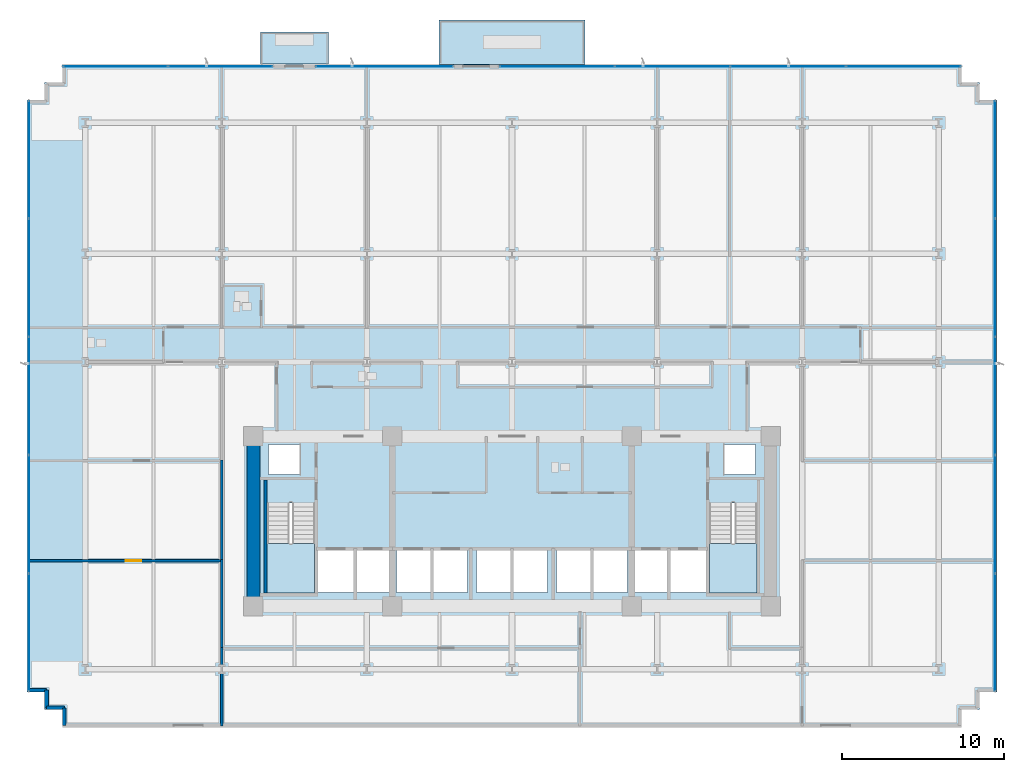
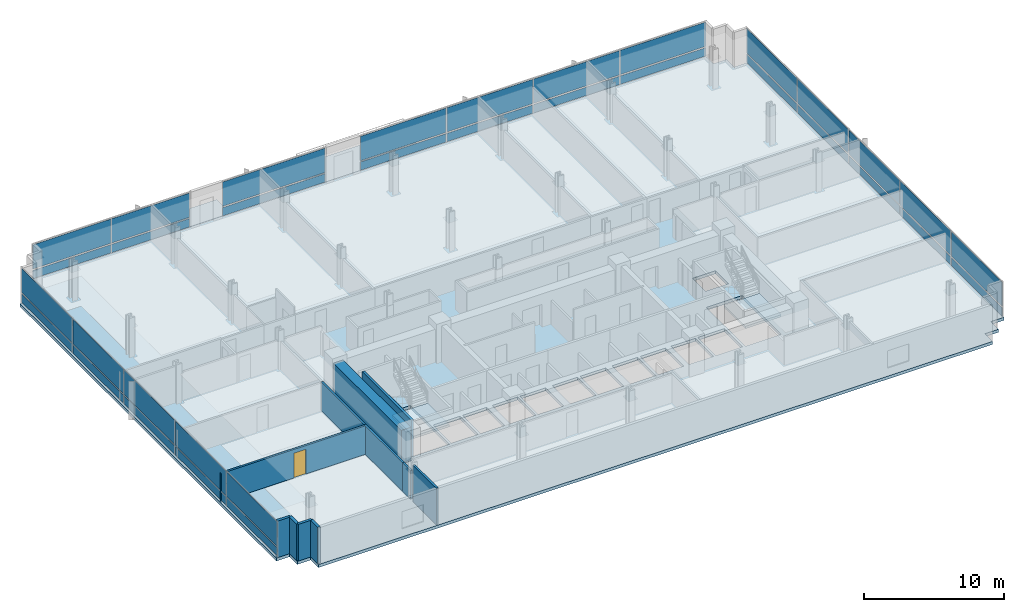
# One storey, part 12 of 21: 34 plates, 11 walls, 5 slabs, 1 door, 1 opening, 7 elements without a shape of their own.
"""IFC4 building model written with IfcOpenShell, lengths in metres."""

from ifc_helpers import new_model, si_unit, direction, frame, frame_2d, origin, origin_2d, place, context, subcontext, project, spatial, polyline, rectangle, outline, extrude, material, layer, layer_set, type_object, element, fill, aggregate, save


model = new_model("IFC4")

# Units and contexts
model_context = context("Model", 3, precision=1e-05, world=origin(), true_north=direction((0.0, 1.0)))
body_context = subcontext(model_context, "Body", "Model", "MODEL_VIEW")
ifc_project = project(units=[si_unit("LENGTHUNIT", "METRE"), si_unit("AREAUNIT", "SQUARE_METRE"), si_unit("VOLUMEUNIT", "CUBIC_METRE"), si_unit("PLANEANGLEUNIT", "RADIAN"), si_unit("MASSUNIT", "GRAM", prefix="KILO")], contexts=[model_context])

# Site, building, storey
site_placement = place(None, origin())
site = spatial("IfcSite", under=ifc_project, at=site_placement, CompositionType="ELEMENT")
building_placement = place(site_placement, origin())
building = spatial("IfcBuilding", under=site, at=building_placement, Name="Solmavex Isthmus Hotel", CompositionType="ELEMENT")
storey_placement = place(building_placement, frame((0.0, 0.0, 54.0)))
storey = spatial("IfcBuildingStorey", under=building, at=storey_placement, Name="L14", CompositionType="ELEMENT", Elevation=54.0)

# Curtain wall, plates
ifc_material_1 = material(Name="Aluminium alloy 6063-T6", Category="aluminium")
curtain_wall_type = type_object("IfcCurtainWallType", Name="CW-SYS-06", PredefinedType="NOTDEFINED", material=ifc_material_1)
curtain_wall_1_placement = place(storey_placement, origin())
curtain_wall_1 = element("IfcCurtainWall", 1, at=curtain_wall_1_placement, inside=storey, type_object=curtain_wall_type, Name="Stick Curtain Wall CWL-L14-N1", PredefinedType="NOTDEFINED")
ifc_material_2 = material(Name="Clear low-E laminated glass", Category="glass")
ifc_layer_1 = layer(ifc_material_2, 0.028076171875)
ifc_layer_set_1 = layer_set([ifc_layer_1], Name="Clear low-E laminated glass")
plate_type = type_object("IfcPlateType", Name="CW-SYS-06-PNL", PredefinedType="CURTAIN_PANEL", material=ifc_layer_set_1)
plate_1_placement = place(storey_placement, frame((-24.52587890625, 20.3798828125, 0.114990234375), z_axis=(0.0, 0.0, 1.0), x_axis=(1.0, 0.0, 0.0)))
plate_1 = element("IfcPlate", 2, at=plate_1_placement, type_object=plate_type, Name="CW-06 panel 1.1", PredefinedType="CURTAIN_PANEL", context=body_context, shape_type="SweptSolid", body=[
    extrude(rectangle(XDim=6.427978515625, YDim=0.028076171875, at=origin_2d()), origin(), (0.0, 0.0, 1.0), 0.7275390625),
])
plate_2_placement = place(storey_placement, frame((-24.52587890625, 20.3798828125, 0.95751953125), z_axis=(0.0, 0.0, 1.0), x_axis=(1.0, 0.0, 0.0)))
plate_2 = element("IfcPlate", 3, at=plate_2_placement, type_object=plate_type, Name="CW-06 panel 1.2", PredefinedType="CURTAIN_PANEL", context=body_context, shape_type="SweptSolid", body=[
    extrude(rectangle(XDim=6.427978515625, YDim=0.028076171875, at=origin_2d()), origin(), (0.0, 0.0, 1.0), 2.117431640625),
])
plate_3_placement = place(storey_placement, frame((-18.0380859375, 20.3798828125, 0.114990234375), z_axis=(0.0, 0.0, 1.0), x_axis=(1.0, 0.0, 0.0)))
plate_3 = element("IfcPlate", 4, at=plate_3_placement, type_object=plate_type, Name="CW-06 panel 2.1", PredefinedType="CURTAIN_PANEL", context=body_context, shape_type="SweptSolid", body=[
    extrude(rectangle(XDim=6.427978515625, YDim=0.028076171875, at=origin_2d()), origin(), (0.0, 0.0, 1.0), 0.7275390625),
])
plate_4_placement = place(storey_placement, frame((-18.0380859375, 20.3798828125, 0.95751953125), z_axis=(0.0, 0.0, 1.0), x_axis=(1.0, 0.0, 0.0)))
plate_4 = element("IfcPlate", 5, at=plate_4_placement, type_object=plate_type, Name="CW-06 panel 2.2", PredefinedType="CURTAIN_PANEL", context=body_context, shape_type="SweptSolid", body=[
    extrude(rectangle(XDim=6.427978515625, YDim=0.028076171875, at=origin_2d()), origin(), (0.0, 0.0, 1.0), 2.117431640625),
])
aggregate(curtain_wall_1, [plate_1, plate_2, plate_3, plate_4])

curtain_wall_2_placement = place(storey_placement, origin())
curtain_wall_2 = element("IfcCurtainWall", 6, at=curtain_wall_2_placement, inside=storey, type_object=curtain_wall_type, Name="Stick Curtain Wall CWL-L14-N2", PredefinedType="NOTDEFINED")
plate_5_placement = place(storey_placement, frame((-7.882080078125, 20.3798828125, 0.114990234375), z_axis=(0.0, 0.0, 1.0), x_axis=(1.0, 0.0, 0.0)))
plate_5 = element("IfcPlate", 7, at=plate_5_placement, type_object=plate_type, Name="CW-06 panel 1.1", PredefinedType="CURTAIN_PANEL", context=body_context, shape_type="SweptSolid", body=[
    extrude(rectangle(XDim=8.444091796875, YDim=0.028076171875, at=origin_2d()), origin(), (0.0, 0.0, 1.0), 0.7275390625),
])
plate_6_placement = place(storey_placement, frame((-7.882080078125, 20.3798828125, 0.95751953125), z_axis=(0.0, 0.0, 1.0), x_axis=(1.0, 0.0, 0.0)))
plate_6 = element("IfcPlate", 8, at=plate_6_placement, type_object=plate_type, Name="CW-06 panel 1.2", PredefinedType="CURTAIN_PANEL", context=body_context, shape_type="SweptSolid", body=[
    extrude(rectangle(XDim=8.444091796875, YDim=0.028076171875, at=origin_2d()), origin(), (0.0, 0.0, 1.0), 2.117431640625),
])
aggregate(curtain_wall_2, [plate_5, plate_6])

curtain_wall_3_placement = place(storey_placement, origin())
curtain_wall_3 = element("IfcCurtainWall", 9, at=curtain_wall_3_placement, inside=storey, type_object=curtain_wall_type, Name="Stick Curtain Wall CWL-L14-N3", PredefinedType="NOTDEFINED")
plate_7_placement = place(storey_placement, frame((2.7900390625, 20.3798828125, 0.114990234375), z_axis=(0.0, 0.0, 1.0), x_axis=(1.0, 0.0, 0.0)))
plate_7 = element("IfcPlate", 10, at=plate_7_placement, type_object=plate_type, Name="CW-06 panel 1.1", PredefinedType="CURTAIN_PANEL", context=body_context, shape_type="SweptSolid", body=[
    extrude(rectangle(XDim=7.06005859375, YDim=0.028076171875, at=origin_2d()), origin(), (0.0, 0.0, 1.0), 0.7275390625),
])
plate_8_placement = place(storey_placement, frame((2.7900390625, 20.3798828125, 0.95751953125), z_axis=(0.0, 0.0, 1.0), x_axis=(1.0, 0.0, 0.0)))
plate_8 = element("IfcPlate", 11, at=plate_8_placement, type_object=plate_type, Name="CW-06 panel 1.2", PredefinedType="CURTAIN_PANEL", context=body_context, shape_type="SweptSolid", body=[
    extrude(rectangle(XDim=7.06005859375, YDim=0.028076171875, at=origin_2d()), origin(), (0.0, 0.0, 1.0), 2.117431640625),
])
plate_9_placement = place(storey_placement, frame((9.925048828125, 20.3798828125, 0.114990234375), z_axis=(0.0, 0.0, 1.0), x_axis=(1.0, 0.0, 0.0)))
plate_9 = element("IfcPlate", 12, at=plate_9_placement, type_object=plate_type, Name="CW-06 panel 2.1", PredefinedType="CURTAIN_PANEL", context=body_context, shape_type="SweptSolid", body=[
    extrude(rectangle(XDim=7.090087890625, YDim=0.028076171875, at=origin_2d()), origin(), (0.0, 0.0, 1.0), 0.7275390625),
])
plate_10_placement = place(storey_placement, frame((9.925048828125, 20.3798828125, 0.95751953125), z_axis=(0.0, 0.0, 1.0), x_axis=(1.0, 0.0, 0.0)))
plate_10 = element("IfcPlate", 13, at=plate_10_placement, type_object=plate_type, Name="CW-06 panel 2.2", PredefinedType="CURTAIN_PANEL", context=body_context, shape_type="SweptSolid", body=[
    extrude(rectangle(XDim=7.090087890625, YDim=0.028076171875, at=origin_2d()), origin(), (0.0, 0.0, 1.0), 2.117431640625),
])
plate_11_placement = place(storey_placement, frame((17.074951171875, 20.3798828125, 0.114990234375), z_axis=(0.0, 0.0, 1.0), x_axis=(1.0, 0.0, 0.0)))
plate_11 = element("IfcPlate", 14, at=plate_11_placement, type_object=plate_type, Name="CW-06 panel 3.1", PredefinedType="CURTAIN_PANEL", context=body_context, shape_type="SweptSolid", body=[
    extrude(rectangle(XDim=7.090087890625, YDim=0.028076171875, at=origin_2d()), origin(), (0.0, 0.0, 1.0), 0.7275390625),
])
plate_12_placement = place(storey_placement, frame((17.074951171875, 20.3798828125, 0.95751953125), z_axis=(0.0, 0.0, 1.0), x_axis=(1.0, 0.0, 0.0)))
plate_12 = element("IfcPlate", 15, at=plate_12_placement, type_object=plate_type, Name="CW-06 panel 3.2", PredefinedType="CURTAIN_PANEL", context=body_context, shape_type="SweptSolid", body=[
    extrude(rectangle(XDim=7.090087890625, YDim=0.028076171875, at=origin_2d()), origin(), (0.0, 0.0, 1.0), 2.117431640625),
])
plate_13_placement = place(storey_placement, frame((24.2099609375, 20.3798828125, 0.114990234375), z_axis=(0.0, 0.0, 1.0), x_axis=(1.0, 0.0, 0.0)))
plate_13 = element("IfcPlate", 16, at=plate_13_placement, type_object=plate_type, Name="CW-06 panel 4.1", PredefinedType="CURTAIN_PANEL", context=body_context, shape_type="SweptSolid", body=[
    extrude(rectangle(XDim=7.06005859375, YDim=0.028076171875, at=origin_2d()), origin(), (0.0, 0.0, 1.0), 0.7275390625),
])
plate_14_placement = place(storey_placement, frame((24.2099609375, 20.3798828125, 0.95751953125), z_axis=(0.0, 0.0, 1.0), x_axis=(1.0, 0.0, 0.0)))
plate_14 = element("IfcPlate", 17, at=plate_14_placement, type_object=plate_type, Name="CW-06 panel 4.2", PredefinedType="CURTAIN_PANEL", context=body_context, shape_type="SweptSolid", body=[
    extrude(rectangle(XDim=7.06005859375, YDim=0.028076171875, at=origin_2d()), origin(), (0.0, 0.0, 1.0), 2.117431640625),
])
aggregate(curtain_wall_3, [plate_7, plate_8, plate_9, plate_10, plate_11, plate_12, plate_13, plate_14])

curtain_wall_4_placement = place(storey_placement, origin())
curtain_wall_4 = element("IfcCurtainWall", 18, at=curtain_wall_4_placement, inside=storey, type_object=curtain_wall_type, Name="Stick Curtain Wall CWL-L14-W1", PredefinedType="NOTDEFINED")
plate_15_placement = place(storey_placement, frame((-29.8798828125, -14.625, 0.114990234375), z_axis=(0.0, 0.0, 1.0), x_axis=(0.0, 1.0, 0.0)))
plate_15 = element("IfcPlate", 19, at=plate_15_placement, type_object=plate_type, Name="CW-06 panel 1.1", PredefinedType="CURTAIN_PANEL", context=body_context, shape_type="SweptSolid", body=[
    extrude(rectangle(XDim=7.22998046875, YDim=0.028076171875, at=origin_2d()), origin(), (0.0, 0.0, 1.0), 0.7275390625),
])
plate_16_placement = place(storey_placement, frame((-29.8798828125, -14.625, 0.95751953125), z_axis=(0.0, 0.0, 1.0), x_axis=(0.0, 1.0, 0.0)))
plate_16 = element("IfcPlate", 20, at=plate_16_placement, type_object=plate_type, Name="CW-06 panel 1.2", PredefinedType="CURTAIN_PANEL", context=body_context, shape_type="SweptSolid", body=[
    extrude(rectangle(XDim=7.22998046875, YDim=0.028076171875, at=origin_2d()), origin(), (0.0, 0.0, 1.0), 2.117431640625),
])
plate_17_placement = place(storey_placement, frame((-29.8798828125, -7.320068359375, 0.114990234375), z_axis=(0.0, 0.0, 1.0), x_axis=(0.0, 1.0, 0.0)))
plate_17 = element("IfcPlate", 21, at=plate_17_placement, type_object=plate_type, Name="CW-06 panel 2.1", PredefinedType="CURTAIN_PANEL", context=body_context, shape_type="SweptSolid", body=[
    extrude(rectangle(XDim=7.260009765625, YDim=0.028076171875, at=origin_2d()), origin(), (0.0, 0.0, 1.0), 0.7275390625),
])
plate_18_placement = place(storey_placement, frame((-29.8798828125, -7.320068359375, 0.95751953125), z_axis=(0.0, 0.0, 1.0), x_axis=(0.0, 1.0, 0.0)))
plate_18 = element("IfcPlate", 22, at=plate_18_placement, type_object=plate_type, Name="CW-06 panel 2.2", PredefinedType="CURTAIN_PANEL", context=body_context, shape_type="SweptSolid", body=[
    extrude(rectangle(XDim=7.260009765625, YDim=0.028076171875, at=origin_2d()), origin(), (0.0, 0.0, 1.0), 2.117431640625),
])
plate_19_placement = place(storey_placement, frame((-29.8798828125, 0.0, 0.114990234375), z_axis=(0.0, 0.0, 1.0), x_axis=(0.0, 1.0, 0.0)))
plate_19 = element("IfcPlate", 23, at=plate_19_placement, type_object=plate_type, Name="CW-06 panel 3.1", PredefinedType="CURTAIN_PANEL", context=body_context, shape_type="SweptSolid", body=[
    extrude(rectangle(XDim=7.260009765625, YDim=0.028076171875, at=origin_2d()), origin(), (0.0, 0.0, 1.0), 0.7275390625),
])
plate_20_placement = place(storey_placement, frame((-29.8798828125, 0.0, 0.95751953125), z_axis=(0.0, 0.0, 1.0), x_axis=(0.0, 1.0, 0.0)))
plate_20 = element("IfcPlate", 24, at=plate_20_placement, type_object=plate_type, Name="CW-06 panel 3.2", PredefinedType="CURTAIN_PANEL", context=body_context, shape_type="SweptSolid", body=[
    extrude(rectangle(XDim=7.260009765625, YDim=0.028076171875, at=origin_2d()), origin(), (0.0, 0.0, 1.0), 2.117431640625),
])
plate_21_placement = place(storey_placement, frame((-29.8798828125, 7.320068359375, 0.114990234375), z_axis=(0.0, 0.0, 1.0), x_axis=(0.0, 1.0, 0.0)))
plate_21 = element("IfcPlate", 25, at=plate_21_placement, type_object=plate_type, Name="CW-06 panel 4.1", PredefinedType="CURTAIN_PANEL", context=body_context, shape_type="SweptSolid", body=[
    extrude(rectangle(XDim=7.260009765625, YDim=0.028076171875, at=origin_2d()), origin(), (0.0, 0.0, 1.0), 0.7275390625),
])
plate_22_placement = place(storey_placement, frame((-29.8798828125, 7.320068359375, 0.95751953125), z_axis=(0.0, 0.0, 1.0), x_axis=(0.0, 1.0, 0.0)))
plate_22 = element("IfcPlate", 26, at=plate_22_placement, type_object=plate_type, Name="CW-06 panel 4.2", PredefinedType="CURTAIN_PANEL", context=body_context, shape_type="SweptSolid", body=[
    extrude(rectangle(XDim=7.260009765625, YDim=0.028076171875, at=origin_2d()), origin(), (0.0, 0.0, 1.0), 2.117431640625),
])
plate_23_placement = place(storey_placement, frame((-29.8798828125, 14.625, 0.114990234375), z_axis=(0.0, 0.0, 1.0), x_axis=(0.0, 1.0, 0.0)))
plate_23 = element("IfcPlate", 27, at=plate_23_placement, type_object=plate_type, Name="CW-06 panel 5.1", PredefinedType="CURTAIN_PANEL", context=body_context, shape_type="SweptSolid", body=[
    extrude(rectangle(XDim=7.22998046875, YDim=0.028076171875, at=origin_2d()), origin(), (0.0, 0.0, 1.0), 0.7275390625),
])
plate_24_placement = place(storey_placement, frame((-29.8798828125, 14.625, 0.95751953125), z_axis=(0.0, 0.0, 1.0), x_axis=(0.0, 1.0, 0.0)))
plate_24 = element("IfcPlate", 28, at=plate_24_placement, type_object=plate_type, Name="CW-06 panel 5.2", PredefinedType="CURTAIN_PANEL", context=body_context, shape_type="SweptSolid", body=[
    extrude(rectangle(XDim=7.22998046875, YDim=0.028076171875, at=origin_2d()), origin(), (0.0, 0.0, 1.0), 2.117431640625),
])
aggregate(curtain_wall_4, [plate_15, plate_16, plate_17, plate_18, plate_19, plate_20, plate_21, plate_22, plate_23, plate_24])

curtain_wall_5_placement = place(storey_placement, origin())
curtain_wall_5 = element("IfcCurtainWall", 29, at=curtain_wall_5_placement, inside=storey, type_object=curtain_wall_type, Name="Stick Curtain Wall CWL-L14-E1", PredefinedType="NOTDEFINED")
plate_25_placement = place(storey_placement, frame((29.8798828125, -14.625, 0.114990234375), z_axis=(0.0, 0.0, 1.0), x_axis=(0.0, 1.0, 0.0)))
plate_25 = element("IfcPlate", 30, at=plate_25_placement, type_object=plate_type, Name="CW-06 panel 1.1", PredefinedType="CURTAIN_PANEL", context=body_context, shape_type="SweptSolid", body=[
    extrude(rectangle(XDim=7.22998046875, YDim=0.028076171875, at=origin_2d()), origin(), (0.0, 0.0, 1.0), 0.7275390625),
])
plate_26_placement = place(storey_placement, frame((29.8798828125, -14.625, 0.95751953125), z_axis=(0.0, 0.0, 1.0), x_axis=(0.0, 1.0, 0.0)))
plate_26 = element("IfcPlate", 31, at=plate_26_placement, type_object=plate_type, Name="CW-06 panel 1.2", PredefinedType="CURTAIN_PANEL", context=body_context, shape_type="SweptSolid", body=[
    extrude(rectangle(XDim=7.22998046875, YDim=0.028076171875, at=origin_2d()), origin(), (0.0, 0.0, 1.0), 2.117431640625),
])
plate_27_placement = place(storey_placement, frame((29.8798828125, -7.320068359375, 0.114990234375), z_axis=(0.0, 0.0, 1.0), x_axis=(0.0, 1.0, 0.0)))
plate_27 = element("IfcPlate", 32, at=plate_27_placement, type_object=plate_type, Name="CW-06 panel 2.1", PredefinedType="CURTAIN_PANEL", context=body_context, shape_type="SweptSolid", body=[
    extrude(rectangle(XDim=7.260009765625, YDim=0.028076171875, at=origin_2d()), origin(), (0.0, 0.0, 1.0), 0.7275390625),
])
plate_28_placement = place(storey_placement, frame((29.8798828125, -7.320068359375, 0.95751953125), z_axis=(0.0, 0.0, 1.0), x_axis=(0.0, 1.0, 0.0)))
plate_28 = element("IfcPlate", 33, at=plate_28_placement, type_object=plate_type, Name="CW-06 panel 2.2", PredefinedType="CURTAIN_PANEL", context=body_context, shape_type="SweptSolid", body=[
    extrude(rectangle(XDim=7.260009765625, YDim=0.028076171875, at=origin_2d()), origin(), (0.0, 0.0, 1.0), 2.117431640625),
])
plate_29_placement = place(storey_placement, frame((29.8798828125, 0.0, 0.114990234375), z_axis=(0.0, 0.0, 1.0), x_axis=(0.0, 1.0, 0.0)))
plate_29 = element("IfcPlate", 34, at=plate_29_placement, type_object=plate_type, Name="CW-06 panel 3.1", PredefinedType="CURTAIN_PANEL", context=body_context, shape_type="SweptSolid", body=[
    extrude(rectangle(XDim=7.260009765625, YDim=0.028076171875, at=origin_2d()), origin(), (0.0, 0.0, 1.0), 0.7275390625),
])
plate_30_placement = place(storey_placement, frame((29.8798828125, 0.0, 0.95751953125), z_axis=(0.0, 0.0, 1.0), x_axis=(0.0, 1.0, 0.0)))
plate_30 = element("IfcPlate", 35, at=plate_30_placement, type_object=plate_type, Name="CW-06 panel 3.2", PredefinedType="CURTAIN_PANEL", context=body_context, shape_type="SweptSolid", body=[
    extrude(rectangle(XDim=7.260009765625, YDim=0.028076171875, at=origin_2d()), origin(), (0.0, 0.0, 1.0), 2.117431640625),
])
plate_31_placement = place(storey_placement, frame((29.8798828125, 7.320068359375, 0.114990234375), z_axis=(0.0, 0.0, 1.0), x_axis=(0.0, 1.0, 0.0)))
plate_31 = element("IfcPlate", 36, at=plate_31_placement, type_object=plate_type, Name="CW-06 panel 4.1", PredefinedType="CURTAIN_PANEL", context=body_context, shape_type="SweptSolid", body=[
    extrude(rectangle(XDim=7.260009765625, YDim=0.028076171875, at=origin_2d()), origin(), (0.0, 0.0, 1.0), 0.7275390625),
])
plate_32_placement = place(storey_placement, frame((29.8798828125, 7.320068359375, 0.95751953125), z_axis=(0.0, 0.0, 1.0), x_axis=(0.0, 1.0, 0.0)))
plate_32 = element("IfcPlate", 37, at=plate_32_placement, type_object=plate_type, Name="CW-06 panel 4.2", PredefinedType="CURTAIN_PANEL", context=body_context, shape_type="SweptSolid", body=[
    extrude(rectangle(XDim=7.260009765625, YDim=0.028076171875, at=origin_2d()), origin(), (0.0, 0.0, 1.0), 2.117431640625),
])
plate_33_placement = place(storey_placement, frame((29.8798828125, 14.625, 0.114990234375), z_axis=(0.0, 0.0, 1.0), x_axis=(0.0, 1.0, 0.0)))
plate_33 = element("IfcPlate", 38, at=plate_33_placement, type_object=plate_type, Name="CW-06 panel 5.1", PredefinedType="CURTAIN_PANEL", context=body_context, shape_type="SweptSolid", body=[
    extrude(rectangle(XDim=7.22998046875, YDim=0.028076171875, at=origin_2d()), origin(), (0.0, 0.0, 1.0), 0.7275390625),
])
plate_34_placement = place(storey_placement, frame((29.8798828125, 14.625, 0.95751953125), z_axis=(0.0, 0.0, 1.0), x_axis=(0.0, 1.0, 0.0)))
plate_34 = element("IfcPlate", 39, at=plate_34_placement, type_object=plate_type, Name="CW-06 panel 5.2", PredefinedType="CURTAIN_PANEL", context=body_context, shape_type="SweptSolid", body=[
    extrude(rectangle(XDim=7.22998046875, YDim=0.028076171875, at=origin_2d()), origin(), (0.0, 0.0, 1.0), 2.117431640625),
])
aggregate(curtain_wall_5, [plate_25, plate_26, plate_27, plate_28, plate_29, plate_30, plate_31, plate_32, plate_33, plate_34])

# Slabs
ifc_material_3 = material(Name="Concrete C40/50", Category="concrete")
ifc_layer_2 = layer(ifc_material_3, 0.239990234375)
ifc_layer_set_2 = layer_set([ifc_layer_2], Name="Concrete C40/50")
slab_type_1 = type_object("IfcSlabType", Name="SLAB-BALC-240", PredefinedType="FLOOR", material=ifc_layer_set_2)
slab_1_placement = place(storey_placement, frame((0.0, 0.0, -0.239990234375)))
element("IfcSlab", 40, at=slab_1_placement, inside=storey, type_object=slab_type_1, Name="Tree-Planter Balcony Slab L14-B1", PredefinedType="FLOOR", context=body_context, shape_type="SweptSolid", body=[
    extrude(outline(polyline([(-15.56396484375, 20.514892578125), (-11.364013671875, 20.514892578125), (-11.364013671875, 22.5), (-15.56396484375, 22.5), (-15.56396484375, 20.514892578125)])), origin(), (0.0, 0.0, 1.0), 0.239990234375),
])
ifc_layer_3 = layer(ifc_material_3, 0.260009765625)
ifc_layer_set_3 = layer_set([ifc_layer_3], Name="Concrete C40/50")
slab_type_2 = type_object("IfcSlabType", Name="SLAB-SG-260", PredefinedType="FLOOR", material=ifc_layer_set_3)
slab_2_placement = place(storey_placement, frame((0.0, 0.0, -0.260009765625)))
element("IfcSlab", 41, at=slab_2_placement, inside=storey, type_object=slab_type_2, Name="Sky Garden Terrace Slab SG1 L14", PredefinedType="FLOOR", context=body_context, shape_type="SweptSolid", body=[
    extrude(outline(polyline([(-4.5, 20.5009765625), (4.5, 20.5009765625), (4.5, 23.25), (-4.5, 23.25), (-4.5, 20.5009765625)])), origin(), (0.0, 0.0, 1.0), 0.260009765625),
])
ifc_layer_4 = layer(ifc_material_3, 0.260009765625)
ifc_layer_set_4 = layer_set([ifc_layer_4], Name="Concrete C40/50")
slab_type_3 = type_object("IfcSlabType", Name="SLAB-TYP-260", PredefinedType="FLOOR", material=ifc_layer_set_4)
slab_3_placement = place(storey_placement, frame((0.0, 0.0, -0.260009765625)))
element("IfcSlab", 42, at=slab_3_placement, inside=storey, type_object=slab_type_3, Name="Tower Structural Floor Slab L14", PredefinedType="FLOOR", context=body_context, shape_type="SweptSolid", body=[
    extrude(outline(polyline([(-26.699951171875, -20.5), (26.699951171875, -20.5), (27.800048828125, -20.5), (27.800048828125, -19.39990234375), (28.89990234375, -19.39990234375), (28.89990234375, -18.300048828125), (30.0, -18.300048828125), (30.0, -17.199951171875), (30.0, 17.199951171875), (30.0, 18.300048828125), (28.89990234375, 18.300048828125), (28.89990234375, 19.39990234375), (27.800048828125, 19.39990234375), (27.800048828125, 20.5), (26.699951171875, 20.5), (-26.699951171875, 20.5), (-27.800048828125, 20.5), (-27.800048828125, 19.39990234375), (-28.89990234375, 19.39990234375), (-28.89990234375, 18.300048828125), (-30.0, 18.300048828125), (-30.0, 17.199951171875), (-30.0, -17.199951171875), (-30.0, -18.300048828125), (-28.89990234375, -18.300048828125), (-28.89990234375, -19.39990234375), (-27.800048828125, -19.39990234375), (-27.800048828125, -20.5), (-26.699951171875, -20.5)]), holes=[polyline([(-15.14990234375, -6.617919921875), (-15.14990234375, -12.199951171875), (-12.199951171875, -12.199951171875), (-12.199951171875, -6.617919921875), (-15.14990234375, -6.617919921875)]), polyline([(12.199951171875, -6.617919921875), (12.199951171875, -12.199951171875), (15.14990234375, -12.199951171875), (15.14990234375, -6.617919921875), (12.199951171875, -6.617919921875)]), polyline([(-12.0, -12.14990234375), (-9.800048828125, -12.14990234375), (-9.800048828125, -9.550048828125), (-12.0, -9.550048828125), (-12.0, -12.14990234375)]), polyline([(9.800048828125, -12.14990234375), (12.0, -12.14990234375), (12.0, -9.550048828125), (9.800048828125, -9.550048828125), (9.800048828125, -12.14990234375)]), polyline([(-9.60009765625, -12.14990234375), (-7.60009765625, -12.14990234375), (-7.60009765625, -9.550048828125), (-9.60009765625, -9.550048828125), (-9.60009765625, -12.14990234375)]), polyline([(7.60009765625, -12.14990234375), (9.60009765625, -12.14990234375), (9.60009765625, -9.550048828125), (7.60009765625, -9.550048828125), (7.60009765625, -12.14990234375)]), polyline([(-7.14990234375, -12.14990234375), (-5.050048828125, -12.14990234375), (-5.050048828125, -9.550048828125), (-7.14990234375, -9.550048828125), (-7.14990234375, -12.14990234375)]), polyline([(-4.85009765625, -12.14990234375), (-2.75, -12.14990234375), (-2.75, -9.550048828125), (-4.85009765625, -9.550048828125), (-4.85009765625, -12.14990234375)]), polyline([(-2.199951171875, -12.14990234375), (-0.10009765625, -12.14990234375), (-0.10009765625, -9.550048828125), (-2.199951171875, -9.550048828125), (-2.199951171875, -12.14990234375)]), polyline([(0.10009765625, -12.14990234375), (2.199951171875, -12.14990234375), (2.199951171875, -9.550048828125), (0.10009765625, -9.550048828125), (0.10009765625, -12.14990234375)]), polyline([(2.75, -12.14990234375), (4.85009765625, -12.14990234375), (4.85009765625, -9.550048828125), (2.75, -9.550048828125), (2.75, -12.14990234375)]), polyline([(5.050048828125, -12.14990234375), (7.14990234375, -12.14990234375), (7.14990234375, -9.550048828125), (5.050048828125, -9.550048828125), (5.050048828125, -12.14990234375)]), polyline([(-15.050048828125, -4.85009765625), (-13.14990234375, -4.85009765625), (-13.14990234375, -3.0), (-15.050048828125, -3.0), (-15.050048828125, -4.85009765625)]), polyline([(13.14990234375, -4.85009765625), (15.050048828125, -4.85009765625), (15.050048828125, -3.0), (13.14990234375, -3.0), (13.14990234375, -4.85009765625)])]), origin(), (0.0, 0.0, 1.0), 0.260009765625),
])

# Stair, slab
stair_type_1 = type_object("IfcStairType", Name="STR-ST-1", PredefinedType="HALF_TURN_STAIR", material=ifc_material_3)
stair_1_placement = place(storey_placement, origin())
stair_1 = element("IfcStair", 43, at=stair_1_placement, inside=storey, type_object=stair_type_1, Name="L14 Protected Exit Stair ST-1", PredefinedType="HALF_TURN_STAIR")
ifc_layer_5 = layer(ifc_material_3, 0.219970703125)
ifc_layer_set_5 = layer_set([ifc_layer_5], Name="Concrete C40/50")
slab_type_4 = type_object("IfcSlabType", Name="SLD-ST-1", PredefinedType="LANDING", material=ifc_layer_set_5)
slab_4_placement = place(storey_placement, frame((0.0, 0.0, 1.52490234375)))
slab_4 = element("IfcSlab", 44, at=slab_4_placement, type_object=slab_type_4, Name="ST-1 landing 1", PredefinedType="LANDING", context=body_context, shape_type="SweptSolid", body=[
    extrude(outline(polyline([(-15.14990234375, -9.1201171875), (-15.14990234375, -12.199951171875), (-12.199951171875, -12.199951171875), (-12.199951171875, -9.1201171875), (-15.14990234375, -9.1201171875)])), origin(), (0.0, 0.0, 1.0), 0.2001953125),
])
aggregate(stair_1, [slab_4])

stair_type_2 = type_object("IfcStairType", Name="STR-ST-2", PredefinedType="HALF_TURN_STAIR", material=ifc_material_3)
stair_2_placement = place(storey_placement, origin())
stair_2 = element("IfcStair", 45, at=stair_2_placement, inside=storey, type_object=stair_type_2, Name="L14 Protected Exit Stair ST-2", PredefinedType="HALF_TURN_STAIR")
ifc_layer_6 = layer(ifc_material_3, 0.219970703125)
ifc_layer_set_6 = layer_set([ifc_layer_6], Name="Concrete C40/50")
slab_type_5 = type_object("IfcSlabType", Name="SLD-ST-2", PredefinedType="LANDING", material=ifc_layer_set_6)
slab_5_placement = place(storey_placement, frame((0.0, 0.0, 1.52490234375)))
slab_5 = element("IfcSlab", 46, at=slab_5_placement, type_object=slab_type_5, Name="ST-2 landing 1", PredefinedType="LANDING", context=body_context, shape_type="SweptSolid", body=[
    extrude(outline(polyline([(12.199951171875, -9.1201171875), (12.199951171875, -12.199951171875), (15.14990234375, -12.199951171875), (15.14990234375, -9.1201171875), (12.199951171875, -9.1201171875)])), origin(), (0.0, 0.0, 1.0), 0.2001953125),
])
aggregate(stair_2, [slab_5])

# Walls
ifc_material_4 = material(Name="Precast Concrete C40/50", Category="concrete")
ifc_layer_7 = layer(ifc_material_4, 0.25)
ifc_layer_set_7 = layer_set([ifc_layer_7], Name="Precast Concrete C40/50")
wall_type_1 = type_object("IfcWallType", Name="EW-TWR-250", PredefinedType="STANDARD", material=ifc_layer_set_7)
wall_1_placement = place(storey_placement, frame((-27.68994140625, -20.389892578125, 0.0), z_axis=(0.0, 0.0, 1.0), x_axis=(0.0, 1.0, 0.0)))
element("IfcWall", 47, at=wall_1_placement, inside=storey, type_object=wall_type_1, Name="Serrated Corner Facade Panel L14-01", PredefinedType="STANDARD", context=body_context, shape_type="SweptSolid", body=[
    extrude(rectangle(XDim=1.099853515625, YDim=0.219970703125, at=frame_2d((0.5498046875, 0.0))), origin(), (0.0, 0.0, 1.0), 3.18994140625),
])
for number, where, z_axis, x_axis, name in (
    (48, (-27.68994140625, -19.2900390625, 0.0), (0.0, 0.0, 1.0), (-1.0, 0.0, 0.0), "Serrated Corner Facade Panel L14-02"),
    (49, (-28.7900390625, -19.2900390625, 0.0), (0.0, 0.0, 1.0), (0.0, 1.0, 0.0), "Serrated Corner Facade Panel L14-03"),
):
    element("IfcWall", number, at=place(storey_placement, frame(where, z_axis=z_axis, x_axis=x_axis)), inside=storey, type_object=wall_type_1, Name=name, PredefinedType="STANDARD", context=body_context, shape_type="SweptSolid", body=[
        extrude(rectangle(XDim=1.10009765625, YDim=0.219970703125, at=frame_2d((0.550048828125, 0.0))), origin(), (0.0, 0.0, 1.0), 3.18994140625),
    ])
wall_2_placement = place(storey_placement, frame((-28.7900390625, -18.18994140625, 0.0), z_axis=(0.0, 0.0, 1.0), x_axis=(-1.0, 0.0, 0.0)))
element("IfcWall", 50, at=wall_2_placement, inside=storey, type_object=wall_type_1, Name="Serrated Corner Facade Panel L14-04", PredefinedType="STANDARD", context=body_context, shape_type="SweptSolid", body=[
    extrude(rectangle(XDim=1.099853515625, YDim=0.219970703125, at=frame_2d((0.5498046875, 0.0))), origin(), (0.0, 0.0, 1.0), 3.18994140625),
])
ifc_material_5 = material(Name="Gypsum plasterboard lining", Category="gypsum")
ifc_layer_8 = layer(ifc_material_5, 0.159912109375)
ifc_layer_set_8 = layer_set([ifc_layer_8], Name="Gypsum plasterboard lining")
wall_type_2 = type_object("IfcWallType", Name="IW-COMP-160", PredefinedType="PARTITIONING", material=ifc_layer_set_8)
wall_3_placement = place(storey_placement, frame((-17.951904296875, -3.9599609375, 0.0), z_axis=(0.0, 0.0, 1.0), x_axis=(0.0, -1.0, 0.0)))
element("IfcWall", 51, at=wall_3_placement, inside=storey, type_object=wall_type_2, Name="Interior Partition Wall W-L14-P056", PredefinedType="PARTITIONING", context=body_context, shape_type="SweptSolid", body=[
    extrude(rectangle(XDim=6.280029296875, YDim=0.159912109375, at=frame_2d((3.14013671875, 0.0))), origin(), (0.0, 0.0, 1.0), 2.4794921875),
])

# Wall, opening, door
wall_4_placement = place(storey_placement, frame((-17.912109375, -10.199951171875, 0.0), z_axis=(0.0, 0.0, 1.0), x_axis=(-1.0, 0.0, 0.0)))
wall_4 = element("IfcWall", 52, at=wall_4_placement, inside=storey, type_object=wall_type_2, Name="Interior Partition Wall W-L14-P057", PredefinedType="PARTITIONING", context=body_context, shape_type="SweptSolid", body=[
    extrude(rectangle(XDim=12.0078125, YDim=0.159912109375, at=frame_2d((6.00390625, 0.0))), origin(), (0.0, 0.0, 1.0), 2.4794921875),
])
opening_placement = place(wall_4_placement, frame((5.028076171875, 0.0, 0.0)))
opening = element("IfcOpeningElement", 53, at=opening_placement, cuts=wall_4, Name="Opening ID-C095", PredefinedType="OPENING", context=body_context, shape_type="SweptSolid", body=[
    extrude(rectangle(XDim=0.949951171875, YDim=2.14990234375, at=frame_2d((0.47509765625, 1.074951171875))), frame((0.0, 0.08984375, 0.0), z_axis=(0.0, -1.0, 0.0), x_axis=(1.0, 0.0, 0.0)), (0.0, 0.0, 1.0), 0.179931640625),
])
ifc_material_6 = material(Name="Hardwood timber", Category="wood")
door_type = type_object("IfcDoorType", Name="IDR-FD60-0950", OperationType="NOTDEFINED", PredefinedType="DOOR", material=ifc_material_6)
door_placement = place(opening_placement, frame((0.949951171875, 0.0, 0.0), z_axis=(0.0, 0.0, 1.0), x_axis=(-1.0, 0.0, 0.0)))
door = element("IfcDoor", 54, at=door_placement, inside=storey, type_object=door_type, Name="Corporate Briefing Office Door L14-19", OperationType="SINGLE_SWING_LEFT", OverallHeight=2.14990234375, OverallWidth=0.949951171875, PredefinedType="DOOR", context=body_context, shape_type="SweptSolid", body=[
    extrude(rectangle(XDim=0.949951171875, YDim=2.14990234375, at=frame_2d((0.47509765625, 1.074951171875))), frame((0.0, 0.02490234375, 0.0), z_axis=(0.0, -1.0, 0.0), x_axis=(1.0, 0.0, 0.0)), (0.0, 0.0, 1.0), 0.050048828125),
])
fill(opening, door)

# Walls
wall_5_placement = place(storey_placement, frame((-17.951904296875, -15.639892578125, 0.0), z_axis=(0.0, 0.0, 1.0), x_axis=(0.0, 1.0, 0.0)))
element("IfcWall", 55, at=wall_5_placement, inside=storey, type_object=wall_type_2, Name="Interior Partition Wall W-L14-P060", PredefinedType="PARTITIONING", context=body_context, shape_type="SweptSolid", body=[
    extrude(rectangle(XDim=5.52197265625, YDim=0.159912109375, at=frame_2d((2.760986328125, 0.0))), origin(), (0.0, 0.0, 1.0), 2.4794921875),
])
wall_6_placement = place(storey_placement, frame((-17.951904296875, -20.419921875, 0.0), z_axis=(0.0, 0.0, 1.0), x_axis=(0.0, 1.0, 0.0)))
element("IfcWall", 56, at=wall_6_placement, inside=storey, type_object=wall_type_2, Name="Interior Partition Wall W-L14-P066", PredefinedType="PARTITIONING", context=body_context, shape_type="SweptSolid", body=[
    extrude(rectangle(XDim=3.344970703125, YDim=0.159912109375, at=frame_2d((1.67236328125, 0.0))), origin(), (0.0, 0.0, 1.0), 3.18994140625),
])
wall_7_placement = place(storey_placement, frame((-17.951904296875, -16.72509765625, 0.0), z_axis=(0.0, 0.0, 1.0), x_axis=(0.0, 1.0, 0.0)))
element("IfcWall", 57, at=wall_7_placement, inside=storey, type_object=wall_type_2, Name="Interior Partition Wall W-L14-P067", PredefinedType="PARTITIONING", context=body_context, shape_type="SweptSolid", body=[
    extrude(rectangle(XDim=1.1650390625, YDim=0.159912109375, at=frame_2d((0.58251953125, 0.0))), origin(), (0.0, 0.0, 1.0), 2.4794921875),
])
ifc_material_7 = material(Name="Concrete C70/85", Category="concrete")
ifc_layer_9 = layer(ifc_material_7, 0.800048828125)
ifc_layer_set_9 = layer_set([ifc_layer_9], Name="Concrete C70/85")
wall_type_3 = type_object("IfcWallType", Name="WALL-CW-800", PredefinedType="SHEAR", material=ifc_layer_set_9)
wall_8_placement = place(storey_placement, frame((-16.0, -12.60009765625, 0.0), z_axis=(0.0, 0.0, 1.0), x_axis=(0.0, 1.0, 0.0)))
element("IfcWall", 58, at=wall_8_placement, inside=storey, type_object=wall_type_3, Name="Core Shear Wall West L14", PredefinedType="SHEAR", context=body_context, shape_type="SweptSolid", body=[
    extrude(rectangle(XDim=9.7001953125, YDim=0.800048828125, at=frame_2d((4.85009765625, 0.0))), origin(), (0.0, 0.0, 1.0), 2.909912109375),
])
ifc_layer_10 = layer(ifc_material_3, 0.199951171875)
ifc_layer_set_10 = layer_set([ifc_layer_10], Name="Concrete C40/50")
wall_type_4 = type_object("IfcWallType", Name="WALL-SW-200", PredefinedType="SOLIDWALL", material=ifc_layer_set_10)
wall_9_placement = place(storey_placement, frame((-15.25, -12.199951171875, 0.0), z_axis=(0.0, 0.0, 1.0), x_axis=(0.0, 1.0, 0.0)))
element("IfcWall", 59, at=wall_9_placement, inside=storey, type_object=wall_type_4, Name="Stairwell Structural Wall SW-L14-ST1-W", PredefinedType="SOLIDWALL", context=body_context, shape_type="SweptSolid", body=[
    extrude(rectangle(XDim=7.0, YDim=0.199951171875, at=frame_2d((3.5, 0.0))), origin(), (0.0, 0.0, 1.0), 3.18994140625),
])

save(model, "model.ifc")
